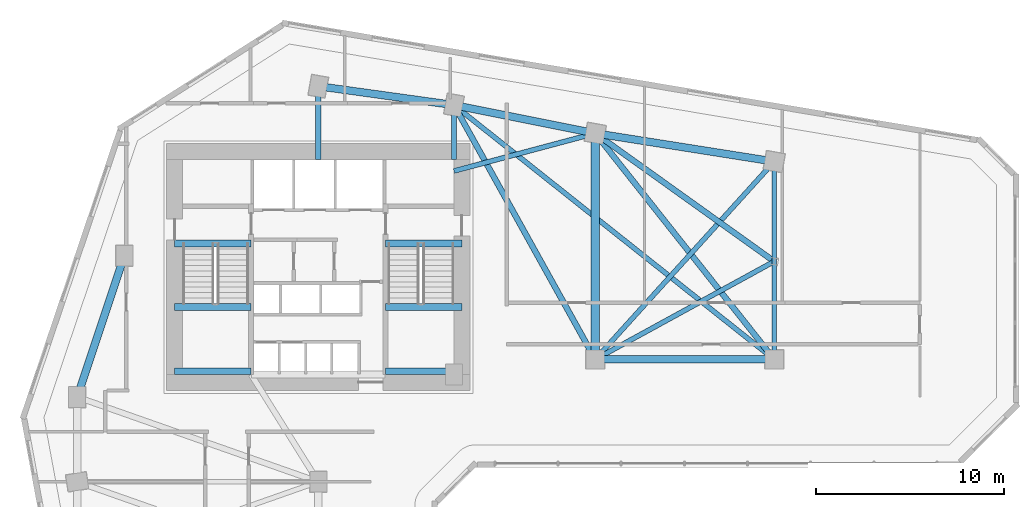
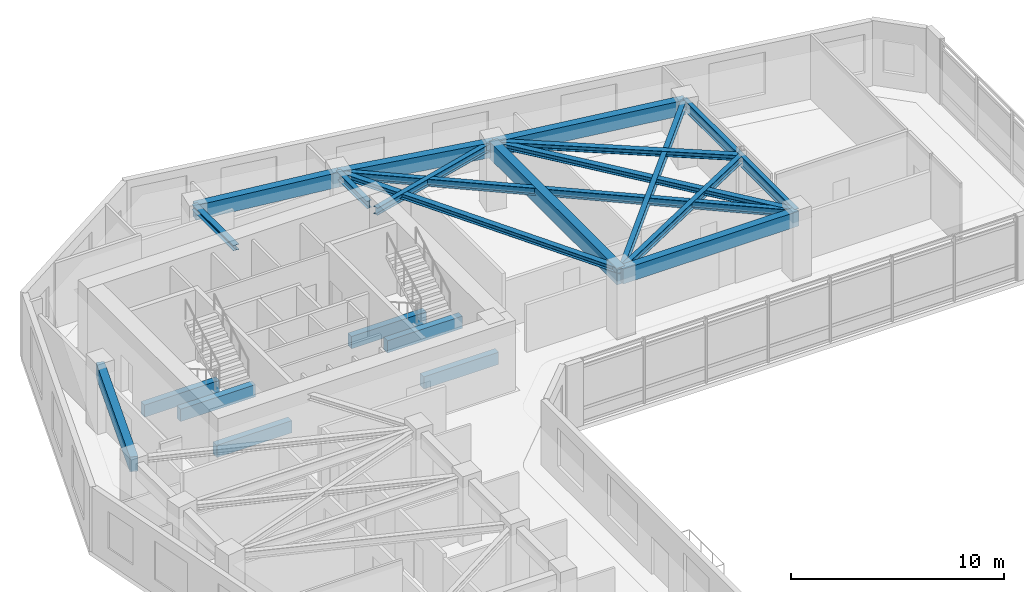
# One storey, part 3 of 11: 22 beams.
"""IFC4 building model written with IfcOpenShell, lengths in metres."""

from ifc_helpers import new_model, si_unit, direction, frame, origin, origin_2d, place, context, subcontext, project, spatial, rectangle, i_section, extrude, source, transform, mapped, material, material_profile, profile_set, type_object, element, save


model = new_model("IFC4")

# Units and contexts
model_context = context("Model", 3, precision=1e-05, world=origin(), true_north=direction((0.0, 1.0)))
body_context = subcontext(model_context, "Body", "Model", "MODEL_VIEW")
ifc_project = project(units=[si_unit("LENGTHUNIT", "METRE"), si_unit("AREAUNIT", "SQUARE_METRE"), si_unit("VOLUMEUNIT", "CUBIC_METRE"), si_unit("PLANEANGLEUNIT", "RADIAN"), si_unit("MASSUNIT", "GRAM", prefix="KILO")], contexts=[model_context])

# Site, building, storey
site_placement = place(None, origin())
site = spatial("IfcSite", under=ifc_project, at=site_placement, CompositionType="ELEMENT")
building_placement = place(site_placement, origin())
building = spatial("IfcBuilding", under=site, at=building_placement, Name="Calvemar Wedge Station Tower", CompositionType="ELEMENT")
storey_placement = place(building_placement, frame((0.0, 0.0, 59.0)))
storey = spatial("IfcBuildingStorey", under=building, at=storey_placement, Name="L14", CompositionType="ELEMENT", Elevation=59.0)

# Beams
ifc_material_1 = material(Name="Concrete C70", Category="concrete")
ifc_material_profile_1 = material_profile(ifc_material_1, rectangle(XDim=0.35009765625, YDim=0.699951171875, at=origin_2d()), Name="RC350x700")
ifc_profile_set_1 = profile_set([ifc_material_profile_1], Name="Concrete C70")
beam_type_1 = type_object("IfcBeamType", Name="BM-LN1-700", PredefinedType="LINTEL", material=ifc_profile_set_1)
shared_shape_1 = source(origin(), body_context, "Body", "SweptSolid", [
    extrude(rectangle(XDim=0.35009765625, YDim=0.699951171875, at=origin_2d()), origin(), (0.0, 0.0, 1.0), 4.054931640625),
])
for number, where, z_axis, x_axis, name in (
    (1, (16.175048828125, 41.14990234375, -0.35009765625), (1.0, 0.0, 0.0), (0.0, 1.0, 0.0), "Storey L14 Stair ST-C1 Landing Trimmer Beam"),
    (2, (27.3701171875, 41.14990234375, -0.35009765625), (1.0, 0.0, 0.0), (0.0, 1.0, 0.0), "Storey L14 Stair ST-C2 Landing Trimmer Beam"),
    (3, (16.175048828125, 34.3798828125, 1.449951171875), (1.0, 0.0, 0.0), (0.0, 1.0, 0.0), "Storey L14 Stair ST-C1 Half-Landing Beam 1A"),
    (4, (16.175048828125, 37.780029296875, 1.449951171875), (1.0, 0.0, 0.0), (0.0, 1.0, 0.0), "Storey L14 Stair ST-C1 Half-Landing Beam 1B"),
    (5, (27.3701171875, 34.3798828125, 1.449951171875), (1.0, 0.0, 0.0), (0.0, 1.0, 0.0), "Storey L14 Stair ST-C2 Half-Landing Beam 1A"),
    (6, (27.3701171875, 37.780029296875, 1.449951171875), (1.0, 0.0, 0.0), (0.0, 1.0, 0.0), "Storey L14 Stair ST-C2 Half-Landing Beam 1B"),
):
    element("IfcBeam", number, at=place(storey_placement, frame(where, z_axis=z_axis, x_axis=x_axis)), inside=storey, type_object=beam_type_1, Name=name, PredefinedType="LINTEL", context=body_context, shape_type="MappedRepresentation", body=[
        mapped(shared_shape_1, transform((0.0, 0.0, 0.0), scale=1.0)),
    ])
ifc_material_2 = material(Name="Concrete C60", Category="concrete")
ifc_material_profile_2 = material_profile(ifc_material_2, rectangle(XDim=0.39990234375, YDim=0.85009765625, at=origin_2d()), Name="RC400x850")
ifc_profile_set_2 = profile_set([ifc_material_profile_2], Name="Concrete C60")
beam_type_2 = type_object("IfcBeamType", Name="BM-SP1-850", PredefinedType="SPANDREL", material=ifc_profile_set_2)
shared_shape_2 = source(origin(), body_context, "Body", "SweptSolid", [
    extrude(rectangle(XDim=0.39990234375, YDim=0.85009765625, at=origin_2d()), origin(), (0.0, 0.0, 1.0), 7.90576171875),
])
beam_1_placement = place(storey_placement, frame((11.0, 33.0, 3.27490234375), z_axis=(0.316227766017, 0.948683298051, 0.0), x_axis=(-0.948683298051, 0.316227766017, 0.0)))
element("IfcBeam", 7, at=beam_1_placement, inside=storey, type_object=beam_type_2, Name="Storey L14 Spandrel T-NW1-T-NW2", PredefinedType="SPANDREL", context=body_context, shape_type="MappedRepresentation", body=[
    mapped(shared_shape_2, transform((0.0, 0.0, 0.0), scale=1.0)),
])
shared_shape_3 = source(origin(), body_context, "Body", "SweptSolid", [
    extrude(rectangle(XDim=0.39990234375, YDim=0.85009765625, at=origin_2d()), origin(), (0.0, 0.0, 1.0), 7.26904296875),
])
beam_2_placement = place(storey_placement, frame((23.800048828125, 49.5, 3.27490234375), z_axis=(0.990492146053, -0.13756928657, 0.0), x_axis=(0.13756928657, 0.990492146053, 0.0)))
element("IfcBeam", 8, at=beam_2_placement, inside=storey, type_object=beam_type_2, Name="Storey L14 Spandrel T-N1-T-N2", PredefinedType="SPANDREL", context=body_context, shape_type="MappedRepresentation", body=[
    mapped(shared_shape_3, transform((0.0, 0.0, 0.0), scale=1.0)),
])
shared_shape_4 = source(origin(), body_context, "Body", "SweptSolid", [
    extrude(rectangle(XDim=0.39990234375, YDim=0.85009765625, at=origin_2d()), origin(), (0.0, 0.0, 1.0), 7.6484375),
])
beam_3_placement = place(storey_placement, frame((31.0, 48.5, 3.27490234375), z_axis=(0.980580675691, -0.196116135138, 0.0), x_axis=(0.196116135138, 0.980580675691, 0.0)))
element("IfcBeam", 9, at=beam_3_placement, inside=storey, type_object=beam_type_2, Name="Storey L14 Spandrel T-N2-T-NU3", PredefinedType="SPANDREL", context=body_context, shape_type="MappedRepresentation", body=[
    mapped(shared_shape_4, transform((0.0, 0.0, 0.0), scale=1.0)),
])
shared_shape_5 = source(origin(), body_context, "Body", "SweptSolid", [
    extrude(rectangle(XDim=0.39990234375, YDim=0.85009765625, at=origin_2d()), origin(), (0.0, 0.0, 1.0), 9.61767578125),
])
beam_4_placement = place(storey_placement, frame((38.5, 47.0, 3.27490234375), z_axis=(0.987762965329, -0.155962573473, 0.0), x_axis=(0.155962573473, 0.987762965329, 0.0)))
element("IfcBeam", 10, at=beam_4_placement, inside=storey, type_object=beam_type_2, Name="Storey L14 Spandrel T-NU3-T-NU4", PredefinedType="SPANDREL", context=body_context, shape_type="MappedRepresentation", body=[
    mapped(shared_shape_5, transform((0.0, 0.0, 0.0), scale=1.0)),
])
shared_shape_6 = source(origin(), body_context, "Body", "SweptSolid", [
    extrude(rectangle(XDim=0.39990234375, YDim=0.85009765625, at=origin_2d()), origin(), (0.0, 0.0, 1.0), 9.5),
])
beam_5_placement = place(storey_placement, frame((38.5, 35.0, 3.27490234375), z_axis=(1.0, 0.0, 0.0), x_axis=(0.0, 1.0, 0.0)))
element("IfcBeam", 11, at=beam_5_placement, inside=storey, type_object=beam_type_2, Name="Storey L14 Spandrel T-NL2-T-NL3", PredefinedType="SPANDREL", context=body_context, shape_type="MappedRepresentation", body=[
    mapped(shared_shape_6, transform((0.0, 0.0, 0.0), scale=1.0)),
])
ifc_material_3 = material(Name="Structural steel ASTM A572 Grade 50", Category="steel")
ifc_material_profile_3 = material_profile(ifc_material_3, i_section(OverallWidth=0.22998046875, OverallDepth=0.616943359375, WebThickness=0.01318359375, FlangeThickness=0.022216796875, FilletRadius=0.012939453125, at=origin_2d()), Name="W610x140")
ifc_profile_set_3 = profile_set([ifc_material_profile_3], Name="Structural steel ASTM A572 Grade 50")
beam_type_3 = type_object("IfcBeamType", Name="BM-SB2-W610", PredefinedType="BEAM", material=ifc_profile_set_3)
shared_shape_7 = source(origin(), body_context, "Body", "SweptSolid", [
    extrude(i_section(OverallWidth=0.22998046875, OverallDepth=0.616943359375, WebThickness=0.01318359375, FlangeThickness=0.022216796875, FilletRadius=0.012939453125, at=origin_2d()), origin(), (0.0, 0.0, 1.0), 10.5),
])
beam_6_placement = place(storey_placement, frame((48.0, 45.5, 3.3916015625), z_axis=(0.0, -1.0, 0.0), x_axis=(1.0, 0.0, 0.0)))
element("IfcBeam", 12, at=beam_6_placement, inside=storey, type_object=beam_type_3, Name="Storey L14 Floor Beam T-NU4-T-NL3", PredefinedType="BEAM", context=body_context, shape_type="MappedRepresentation", body=[
    mapped(shared_shape_7, transform((0.0, 0.0, 0.0), scale=1.0)),
])
ifc_material_profile_4 = material_profile(ifc_material_3, i_section(OverallWidth=0.304931640625, OverallDepth=0.30810546875, WebThickness=0.010009765625, FlangeThickness=0.015380859375, FilletRadius=0.014892578125, at=origin_2d()), Name="W310x97")
ifc_profile_set_4 = profile_set([ifc_material_profile_4], Name="Structural steel ASTM A572 Grade 50")
beam_type_4 = type_object("IfcBeamType", Name="BM-J6-W310", PredefinedType="JOIST", material=ifc_profile_set_4)
shared_shape_8 = source(origin(), body_context, "Body", "SweptSolid", [
    extrude(i_section(OverallWidth=0.304931640625, OverallDepth=0.30810546875, WebThickness=0.010009765625, FlangeThickness=0.015380859375, FilletRadius=0.014892578125, at=origin_2d()), origin(), (0.0, 0.0, 1.0), 15.443359375),
])
beam_7_placement = place(storey_placement, frame((31.0, 48.5, 3.5458984375), z_axis=(0.485642931179, -0.874157276122, 0.0), x_axis=(0.874157276122, 0.485642931179, 0.0)))
element("IfcBeam", 13, at=beam_7_placement, inside=storey, type_object=beam_type_4, Name="Storey L14 Floor Beam T-N2-T-NL2", PredefinedType="JOIST", context=body_context, shape_type="MappedRepresentation", body=[
    mapped(shared_shape_8, transform((0.0, 0.0, 0.0), scale=1.0)),
])
ifc_material_profile_5 = material_profile(ifc_material_3, i_section(OverallWidth=0.260986328125, OverallDepth=0.419921875, WebThickness=0.01171875, FlangeThickness=0.019287109375, FilletRadius=0.012939453125, at=origin_2d()), Name="W410x114")
ifc_profile_set_5 = profile_set([ifc_material_profile_5], Name="Structural steel ASTM A572 Grade 50")
beam_type_5 = type_object("IfcBeamType", Name="BM-J2-W410H", PredefinedType="JOIST", material=ifc_profile_set_5)
shared_shape_9 = source(origin(), body_context, "Body", "SweptSolid", [
    extrude(i_section(OverallWidth=0.260986328125, OverallDepth=0.419921875, WebThickness=0.01171875, FlangeThickness=0.019287109375, FilletRadius=0.012939453125, at=origin_2d()), origin(), (0.0, 0.0, 1.0), 21.708251953125),
])
beam_8_placement = place(storey_placement, frame((31.0, 48.5, 3.489990234375), z_axis=(0.783110847498, -0.621882143602, 0.0), x_axis=(0.621882143602, 0.783110847498, 0.0)))
element("IfcBeam", 14, at=beam_8_placement, inside=storey, type_object=beam_type_5, Name="Storey L14 Floor Beam T-N2-T-NL3", PredefinedType="JOIST", context=body_context, shape_type="MappedRepresentation", body=[
    mapped(shared_shape_9, transform((0.0, 0.0, 0.0), scale=1.0)),
])
shared_shape_10 = source(origin(), body_context, "Body", "SweptSolid", [
    extrude(i_section(OverallWidth=0.304931640625, OverallDepth=0.30810546875, WebThickness=0.010009765625, FlangeThickness=0.015380859375, FilletRadius=0.014892578125, at=origin_2d()), origin(), (0.0, 0.0, 1.0), 15.30517578125),
])
beam_9_placement = place(storey_placement, frame((38.5, 47.0, 3.5458984375), z_axis=(0.620702944366, -0.784045824462, 0.0), x_axis=(0.784045824462, 0.620702944366, 0.0)))
element("IfcBeam", 15, at=beam_9_placement, inside=storey, type_object=beam_type_4, Name="Storey L14 Floor Beam T-NU3-T-NL3", PredefinedType="JOIST", context=body_context, shape_type="MappedRepresentation", body=[
    mapped(shared_shape_10, transform((0.0, 0.0, 0.0), scale=1.0)),
])
shared_shape_11 = source(origin(), body_context, "Body", "SweptSolid", [
    extrude(i_section(OverallWidth=0.260986328125, OverallDepth=0.419921875, WebThickness=0.01171875, FlangeThickness=0.019287109375, FilletRadius=0.012939453125, at=origin_2d()), origin(), (0.0, 0.0, 1.0), 14.159912109375),
])
beam_10_placement = place(storey_placement, frame((38.5, 35.0, 3.489990234375), z_axis=(0.670913323969, 0.741535779124, 0.0), x_axis=(-0.741535779124, 0.670913323969, 0.0)))
element("IfcBeam", 16, at=beam_10_placement, inside=storey, type_object=beam_type_5, Name="Storey L14 Floor Beam T-NL2-T-NU4", PredefinedType="JOIST", context=body_context, shape_type="MappedRepresentation", body=[
    mapped(shared_shape_11, transform((0.0, 0.0, 0.0), scale=1.0)),
])
shared_shape_12 = source(origin(), body_context, "Body", "SweptSolid", [
    extrude(i_section(OverallWidth=0.304931640625, OverallDepth=0.30810546875, WebThickness=0.010009765625, FlangeThickness=0.015380859375, FilletRadius=0.014892578125, at=origin_2d()), origin(), (0.0, 0.0, 1.0), 11.682861328125),
])
beam_11_placement = place(storey_placement, frame((48.0, 40.199951171875, 3.5458984375), z_axis=(-0.81315274409, 0.582050354161, 0.0), x_axis=(-0.582050354161, -0.81315274409, 0.0)))
element("IfcBeam", 17, at=beam_11_placement, inside=storey, type_object=beam_type_4, Name="Storey L14 Floor Beam T-NTIP-A-T-NU3", PredefinedType="JOIST", context=body_context, shape_type="MappedRepresentation", body=[
    mapped(shared_shape_12, transform((0.0, 0.0, 0.0), scale=1.0)),
])
shared_shape_13 = source(origin(), body_context, "Body", "SweptSolid", [
    extrude(i_section(OverallWidth=0.260986328125, OverallDepth=0.419921875, WebThickness=0.01171875, FlangeThickness=0.019287109375, FilletRadius=0.012939453125, at=origin_2d()), origin(), (0.0, 0.0, 1.0), 10.830078125),
])
beam_12_placement = place(storey_placement, frame((48.0, 40.199951171875, 3.489990234375), z_axis=(-0.877190767997, -0.480142017053, 0.0), x_axis=(0.480142017053, -0.877190767997, 0.0)))
element("IfcBeam", 18, at=beam_12_placement, inside=storey, type_object=beam_type_5, Name="Storey L14 Floor Beam T-NTIP-A-T-NL2", PredefinedType="JOIST", context=body_context, shape_type="MappedRepresentation", body=[
    mapped(shared_shape_13, transform((0.0, 0.0, 0.0), scale=1.0)),
])
shared_shape_14 = source(origin(), body_context, "Body", "SweptSolid", [
    extrude(i_section(OverallWidth=0.260986328125, OverallDepth=0.419921875, WebThickness=0.01171875, FlangeThickness=0.019287109375, FilletRadius=0.012939453125, at=origin_2d()), origin(), (0.0, 0.0, 1.0), 7.76220703125),
])
beam_13_placement = place(storey_placement, frame((31.0, 45.0, 3.489990234375), z_axis=(0.966234939601, 0.25766265056, 0.0), x_axis=(-0.25766265056, 0.966234939601, 0.0)))
element("IfcBeam", 19, at=beam_13_placement, inside=storey, type_object=beam_type_5, Name="Storey L14 Core-to-Column Joist CJ-E2", PredefinedType="JOIST", context=body_context, shape_type="MappedRepresentation", body=[
    mapped(shared_shape_14, transform((0.0, 0.0, 0.0), scale=1.0)),
])
shared_shape_15 = source(origin(), body_context, "Body", "SweptSolid", [
    extrude(i_section(OverallWidth=0.304931640625, OverallDepth=0.30810546875, WebThickness=0.010009765625, FlangeThickness=0.015380859375, FilletRadius=0.014892578125, at=origin_2d()), origin(), (0.0, 0.0, 1.0), 3.89990234375),
])
beam_14_placement = place(storey_placement, frame((23.800048828125, 45.60009765625, 3.5458984375), z_axis=(0.0, 1.0, 0.0), x_axis=(-1.0, 0.0, 0.0)))
element("IfcBeam", 20, at=beam_14_placement, inside=storey, type_object=beam_type_4, Name="Storey L14 Core-to-Column Joist CJ-N1", PredefinedType="JOIST", context=body_context, shape_type="MappedRepresentation", body=[
    mapped(shared_shape_15, transform((0.0, 0.0, 0.0), scale=1.0)),
])
shared_shape_16 = source(origin(), body_context, "Body", "SweptSolid", [
    extrude(i_section(OverallWidth=0.260986328125, OverallDepth=0.419921875, WebThickness=0.01171875, FlangeThickness=0.019287109375, FilletRadius=0.012939453125, at=origin_2d()), origin(), (0.0, 0.0, 1.0), 2.89990234375),
])
beam_15_placement = place(storey_placement, frame((31.0, 45.60009765625, 3.489990234375), z_axis=(0.0, 1.0, 0.0), x_axis=(-1.0, 0.0, 0.0)))
element("IfcBeam", 21, at=beam_15_placement, inside=storey, type_object=beam_type_5, Name="Storey L14 Core-to-Column Joist CJ-N2", PredefinedType="JOIST", context=body_context, shape_type="MappedRepresentation", body=[
    mapped(shared_shape_16, transform((0.0, 0.0, 0.0), scale=1.0)),
])
ifc_material_4 = material(Name="Concrete C50", Category="concrete")
ifc_material_profile_6 = material_profile(ifc_material_4, rectangle(XDim=0.449951171875, YDim=0.949951171875, at=origin_2d()), Name="RC450x950")
ifc_profile_set_6 = profile_set([ifc_material_profile_6], Name="Concrete C50")
beam_type_6 = type_object("IfcBeamType", Name="BM-G2-950", PredefinedType="BEAM", material=ifc_profile_set_6)
shared_shape_17 = source(origin(), body_context, "Body", "SweptSolid", [
    extrude(rectangle(XDim=0.449951171875, YDim=0.949951171875, at=origin_2d()), origin(), (0.0, 0.0, 1.0), 12.0),
])
beam_16_placement = place(storey_placement, frame((38.5, 35.0, 3.22509765625), z_axis=(0.0, 1.0, 0.0), x_axis=(-1.0, 0.0, 0.0)))
element("IfcBeam", 22, at=beam_16_placement, inside=storey, type_object=beam_type_6, Name="Storey L14 Sub-Block Collector Girder B2", PredefinedType="BEAM", context=body_context, shape_type="MappedRepresentation", body=[
    mapped(shared_shape_17, transform((0.0, 0.0, 0.0), scale=1.0)),
])

save(model, "model.ifc")
